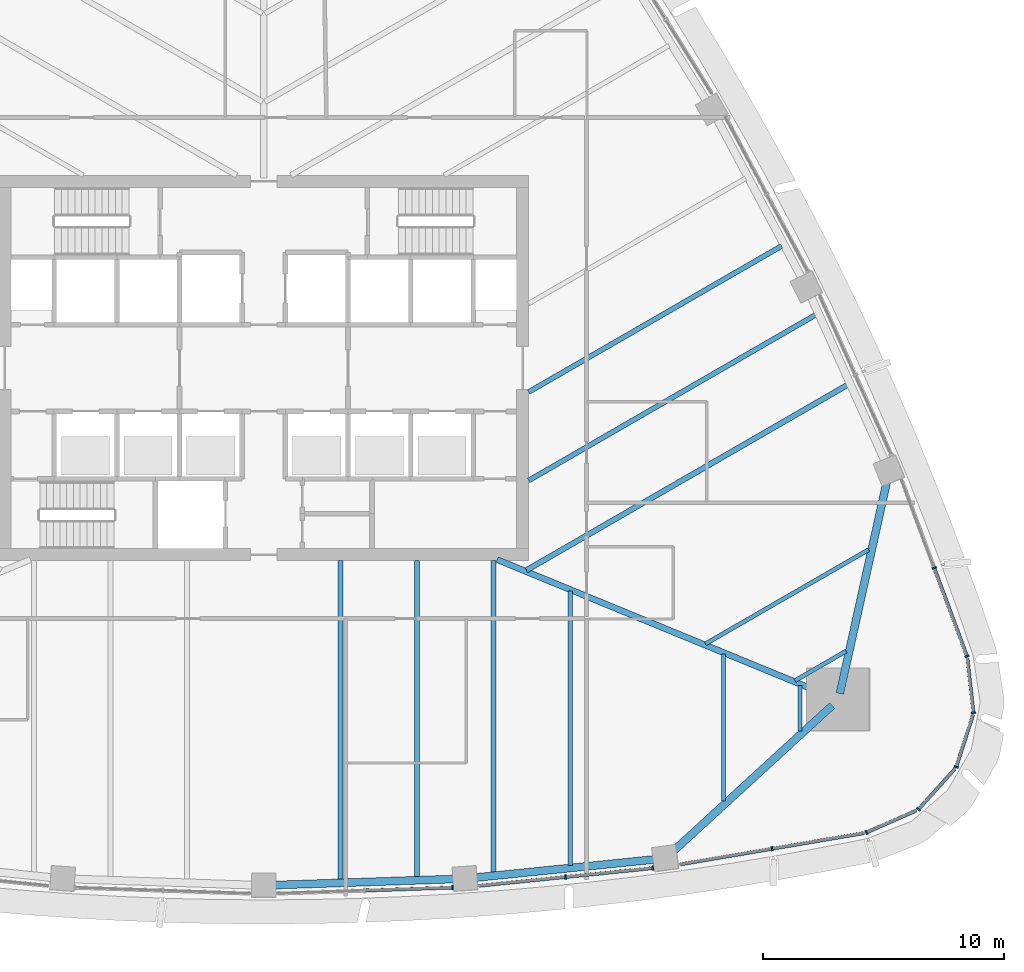
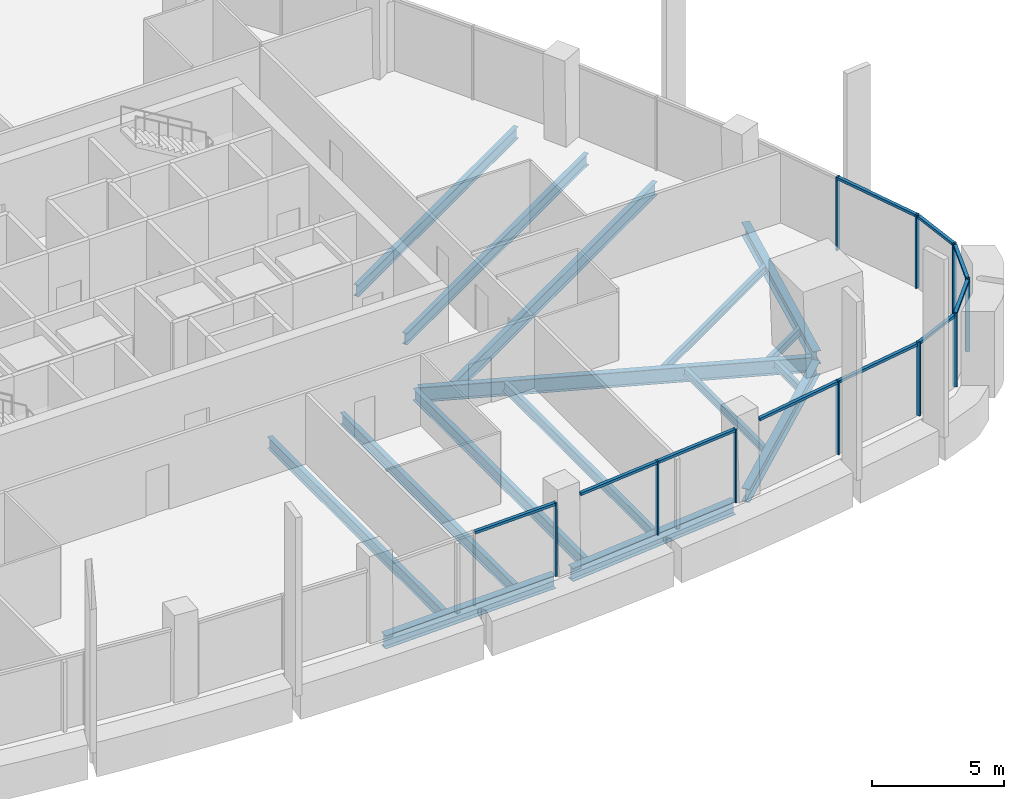
# One storey, part 4 of 17: 20 members, 16 beams, 8 elements without a shape of their own.
"""IFC4 building model written with IfcOpenShell, lengths in metres."""

from ifc_helpers import new_model, si_unit, direction, frame, origin, origin_2d, place, context, subcontext, project, spatial, rectangle, i_section, extrude, material, layer, layer_set, material_profile, profile_set, type_object, element, aggregate, save


model = new_model("IFC4")

# Units and contexts
model_context = context("Model", 3, precision=1e-05, world=origin(), true_north=direction((0.0, 1.0)))
body_context = subcontext(model_context, "Body", "Model", "MODEL_VIEW")
ifc_project = project(units=[si_unit("LENGTHUNIT", "METRE"), si_unit("AREAUNIT", "SQUARE_METRE"), si_unit("VOLUMEUNIT", "CUBIC_METRE"), si_unit("PLANEANGLEUNIT", "RADIAN"), si_unit("MASSUNIT", "GRAM", prefix="KILO")], contexts=[model_context])

# Site, building, storey
site_placement = place(None, origin())
site = spatial("IfcSite", under=ifc_project, at=site_placement, CompositionType="ELEMENT")
building_placement = place(site_placement, origin())
building = spatial("IfcBuilding", under=site, at=building_placement, Name="Sierra Prisma Convention Tower", CompositionType="ELEMENT")
storey_placement = place(building_placement, frame((0.0, 0.0, 169.800048828125)))
storey = spatial("IfcBuildingStorey", under=building, at=storey_placement, Name="L37", CompositionType="ELEMENT", Elevation=169.800048828125)

# Curtain wall, member
ifc_material_1 = material(Name="Aluminium and glass curtain wall", Category="aluminium")
ifc_layer = layer(ifc_material_1, 0.179931640625)
ifc_layer_set = layer_set([ifc_layer], Name="CW-1 Plain shaft curtain wall")
curtain_wall_type = type_object("IfcCurtainWallType", Name="CW-1 Plain shaft curtain wall", PredefinedType="NOTDEFINED", material=ifc_layer_set)
curtain_wall_1_placement = place(storey_placement, origin())
curtain_wall_1 = element("IfcCurtainWall", 1, at=curtain_wall_1_placement, inside=storey, type_object=curtain_wall_type, Name="CW-1 S4 L37", PredefinedType="NOTDEFINED")
ifc_material_2 = material(Name="Aluminium 6063-T6 bronze anodised", Category="aluminium")
ifc_material_profile_1 = material_profile(ifc_material_2, rectangle(XDim=0.179931640625, YDim=0.070068359375, at=origin_2d()), Name="ALU MULLION 70x180")
ifc_profile_set_1 = profile_set([ifc_material_profile_1], Name="Aluminium 6063-T6 bronze anodised")
member_type_1 = type_object("IfcMemberType", Name="CW mullion bronze", PredefinedType="MULLION", material=ifc_profile_set_1)
member_1_placement = place(storey_placement, frame((7.833984375, -21.568603515625, 0.0), z_axis=(0.0, 0.0, 1.0), x_axis=(-0.033714158083, 0.999431516185, 0.0)))
member_1 = element("IfcMember", 2, at=member_1_placement, type_object=member_type_1, Name="CW-1 mullion S4.3", PredefinedType="MULLION", context=body_context, shape_type="SweptSolid", body=[
    extrude(rectangle(XDim=0.179931640625, YDim=0.070068359375, at=origin_2d()), origin(), (0.0, 0.0, 1.0), 3.39990234375),
])

# Curtain wall, members
curtain_wall_2_placement = place(storey_placement, origin())
curtain_wall_2 = element("IfcCurtainWall", 3, at=curtain_wall_2_placement, inside=storey, type_object=curtain_wall_type, Name="CW-1 S5 L37", PredefinedType="NOTDEFINED")
member_2_placement = place(storey_placement, frame((12.53076171875, -21.12890625, 0.0), z_axis=(0.0, 0.0, 1.0), x_axis=(-0.100989190223, 0.994887523019, 0.0)))
member_2 = element("IfcMember", 4, at=member_2_placement, type_object=member_type_1, Name="CW-1 mullion S5.2", PredefinedType="MULLION", context=body_context, shape_type="SweptSolid", body=[
    extrude(rectangle(XDim=0.179931640625, YDim=0.070068359375, at=origin_2d()), origin(), (0.0, 0.0, 1.0), 3.39990234375),
])
member_3_placement = place(storey_placement, frame((16.14794921875, -20.76171875, 0.0), z_axis=(0.0, 0.0, 1.0), x_axis=(-0.100989190223, 0.994887523019, 0.0)))
member_3 = element("IfcMember", 5, at=member_3_placement, type_object=member_type_1, Name="CW-1 mullion S5.3", PredefinedType="MULLION", context=body_context, shape_type="SweptSolid", body=[
    extrude(rectangle(XDim=0.179931640625, YDim=0.070068359375, at=origin_2d()), origin(), (0.0, 0.0, 1.0), 3.39990234375),
])

# Curtain wall, member
curtain_wall_3_placement = place(storey_placement, origin())
curtain_wall_3 = element("IfcCurtainWall", 6, at=curtain_wall_3_placement, inside=storey, type_object=curtain_wall_type, Name="CW-1 S6 L37", PredefinedType="NOTDEFINED")
member_4_placement = place(storey_placement, frame((21.104736328125, -19.957763671875, 0.0), z_axis=(0.0, 0.0, 1.0), x_axis=(-0.167805067151, 0.985820196303, 0.0)))
member_4 = element("IfcMember", 7, at=member_4_placement, type_object=member_type_1, Name="CW-1 mullion S6.2", PredefinedType="MULLION", context=body_context, shape_type="SweptSolid", body=[
    extrude(rectangle(XDim=0.179931640625, YDim=0.070068359375, at=origin_2d()), origin(), (0.0, 0.0, 1.0), 3.39990234375),
])

curtain_wall_4_placement = place(storey_placement, origin())
curtain_wall_4 = element("IfcCurtainWall", 8, at=curtain_wall_4_placement, inside=storey, type_object=curtain_wall_type, Name="CW-1 SE1 L37", PredefinedType="NOTDEFINED")
member_5_placement = place(storey_placement, frame((25.02392578125, -19.281982421875, 0.0), z_axis=(0.0, 0.0, 1.0), x_axis=(-0.401855129647, 0.915703256943, 0.0)))
member_5 = element("IfcMember", 9, at=member_5_placement, type_object=member_type_1, Name="CW-1 mullion SE1.1", PredefinedType="MULLION", context=body_context, shape_type="SweptSolid", body=[
    extrude(rectangle(XDim=0.179931640625, YDim=0.070068359375, at=origin_2d()), origin(), (0.0, 0.0, 1.0), 3.39990234375),
])

curtain_wall_5_placement = place(storey_placement, origin())
curtain_wall_5 = element("IfcCurtainWall", 10, at=curtain_wall_5_placement, inside=storey, type_object=curtain_wall_type, Name="CW-1 SE2 L37", PredefinedType="NOTDEFINED")
member_6_placement = place(storey_placement, frame((27.17919921875, -18.3203125, 0.0), z_axis=(0.0, 0.0, 1.0), x_axis=(-0.741953229739, 0.670451642462, 0.0)))
member_6 = element("IfcMember", 11, at=member_6_placement, type_object=member_type_1, Name="CW-1 mullion SE2.1", PredefinedType="MULLION", context=body_context, shape_type="SweptSolid", body=[
    extrude(rectangle(XDim=0.179931640625, YDim=0.070068359375, at=origin_2d()), origin(), (0.0, 0.0, 1.0), 3.39990234375),
])

curtain_wall_6_placement = place(storey_placement, origin())
curtain_wall_6 = element("IfcCurtainWall", 12, at=curtain_wall_6_placement, inside=storey, type_object=curtain_wall_type, Name="CW-1 SE3 L37", PredefinedType="NOTDEFINED")
member_7_placement = place(storey_placement, frame((28.750732421875, -16.559814453125, 0.0), z_axis=(0.0, 0.0, 1.0), x_axis=(-0.95160476925, 0.307324524143, 0.0)))
member_7 = element("IfcMember", 13, at=member_7_placement, type_object=member_type_1, Name="CW-1 mullion SE3.1", PredefinedType="MULLION", context=body_context, shape_type="SweptSolid", body=[
    extrude(rectangle(XDim=0.179931640625, YDim=0.070068359375, at=origin_2d()), origin(), (0.0, 0.0, 1.0), 3.39990234375),
])

curtain_wall_7_placement = place(storey_placement, origin())
curtain_wall_7 = element("IfcCurtainWall", 14, at=curtain_wall_7_placement, inside=storey, type_object=curtain_wall_type, Name="CW-1 SE4 L37", PredefinedType="NOTDEFINED")
member_8_placement = place(storey_placement, frame((29.46240234375, -14.3095703125, 0.0), z_axis=(0.0, 0.0, 1.0), x_axis=(-0.993949847664, -0.109834877556, 0.0)))
member_8 = element("IfcMember", 15, at=member_8_placement, type_object=member_type_1, Name="CW-1 mullion SE4.1", PredefinedType="MULLION", context=body_context, shape_type="SweptSolid", body=[
    extrude(rectangle(XDim=0.179931640625, YDim=0.070068359375, at=origin_2d()), origin(), (0.0, 0.0, 1.0), 3.39990234375),
])

# Curtain wall, members
curtain_wall_8_placement = place(storey_placement, origin())
curtain_wall_8 = element("IfcCurtainWall", 16, at=curtain_wall_8_placement, inside=storey, type_object=curtain_wall_type, Name="CW-1 NE1 L37", PredefinedType="NOTDEFINED")
member_9_placement = place(storey_placement, frame((29.194580078125, -11.962890625, 0.0), z_axis=(0.0, 0.0, 1.0), x_axis=(-0.937647867137, -0.347586647115, 0.0)))
member_9 = element("IfcMember", 17, at=member_9_placement, type_object=member_type_1, Name="CW-1 mullion NE1.1", PredefinedType="MULLION", context=body_context, shape_type="SweptSolid", body=[
    extrude(rectangle(XDim=0.179931640625, YDim=0.070068359375, at=origin_2d()), origin(), (0.0, 0.0, 1.0), 3.39990234375),
])
member_10_placement = place(storey_placement, frame((27.836181640625, -8.29833984375, 0.0), z_axis=(0.0, 0.0, 1.0), x_axis=(-0.937647867137, -0.347586647115, 0.0)))
member_10 = element("IfcMember", 18, at=member_10_placement, type_object=member_type_1, Name="CW-1 mullion NE1.2", PredefinedType="MULLION", context=body_context, shape_type="SweptSolid", body=[
    extrude(rectangle(XDim=0.179931640625, YDim=0.070068359375, at=origin_2d()), origin(), (0.0, 0.0, 1.0), 3.39990234375),
])

# Member
ifc_material_3 = material(Name="Aluminium 6063-T6 bronze anodised", Category="aluminium")
ifc_material_profile_2 = material_profile(ifc_material_3, rectangle(XDim=0.139892578125, YDim=0.1201171875, at=origin_2d()), Name="ALU TRANSOM 120x140")
ifc_profile_set_2 = profile_set([ifc_material_profile_2], Name="Aluminium 6063-T6 bronze anodised")
member_type_2 = type_object("IfcMemberType", Name="CW transom bronze", PredefinedType="USERDEFINED", material=ifc_profile_set_2)
member_11_placement = place(storey_placement, frame((4.219482421875, -21.6904296875, 3.33984375), z_axis=(0.999432889211, 0.033673431133, 0.0), x_axis=(-0.033673431133, 0.999432889211, 0.0)))
member_11 = element("IfcMember", 19, at=member_11_placement, type_object=member_type_2, Name="CW-1 transom S4.2", ObjectType="TRANSOM", PredefinedType="USERDEFINED", context=body_context, shape_type="SweptSolid", body=[
    extrude(rectangle(XDim=0.139892578125, YDim=0.1201171875, at=origin_2d()), origin(), (0.0, 0.0, 1.0), 3.58154296875),
])

aggregate(curtain_wall_1, [member_1, member_11])

member_12_placement = place(storey_placement, frame((8.948486328125, -21.49267578125, 3.33984375), z_axis=(0.994887625535, 0.100988180281, 0.0), x_axis=(-0.100988180281, 0.994887625535, 0.0)))
member_12 = element("IfcMember", 20, at=member_12_placement, type_object=member_type_2, Name="CW-1 transom S5.1", ObjectType="TRANSOM", PredefinedType="USERDEFINED", context=body_context, shape_type="SweptSolid", body=[
    extrude(rectangle(XDim=0.139892578125, YDim=0.1201171875, at=origin_2d()), origin(), (0.0, 0.0, 1.0), 3.56591796875),
])

member_13_placement = place(storey_placement, frame((12.565673828125, -21.12548828125, 3.33984375), z_axis=(0.994887625535, 0.100988180281, 0.0), x_axis=(-0.100988180281, 0.994887625535, 0.0)))
member_13 = element("IfcMember", 21, at=member_13_placement, type_object=member_type_2, Name="CW-1 transom S5.2", ObjectType="TRANSOM", PredefinedType="USERDEFINED", context=body_context, shape_type="SweptSolid", body=[
    extrude(rectangle(XDim=0.139892578125, YDim=0.1201171875, at=origin_2d()), origin(), (0.0, 0.0, 1.0), 3.56591796875),
])

aggregate(curtain_wall_2, [member_2, member_3, member_12, member_13])

member_14_placement = place(storey_placement, frame((17.28662109375, -20.607666015625, 3.33984375), z_axis=(0.985820722023, 0.167801978623, 0.0), x_axis=(-0.167801978623, 0.985820722023, 0.0)))
member_14 = element("IfcMember", 22, at=member_14_placement, type_object=member_type_2, Name="CW-1 transom S6.1", ObjectType="TRANSOM", PredefinedType="USERDEFINED", context=body_context, shape_type="SweptSolid", body=[
    extrude(rectangle(XDim=0.139892578125, YDim=0.1201171875, at=origin_2d()), origin(), (0.0, 0.0, 1.0), 3.838134765625),
])

member_15_placement = place(storey_placement, frame((21.13916015625, -19.95166015625, 3.33984375), z_axis=(0.985820722023, 0.167801978623, 0.0), x_axis=(-0.167801978623, 0.985820722023, 0.0)))
member_15 = element("IfcMember", 23, at=member_15_placement, type_object=member_type_2, Name="CW-1 transom S6.2", ObjectType="TRANSOM", PredefinedType="USERDEFINED", context=body_context, shape_type="SweptSolid", body=[
    extrude(rectangle(XDim=0.139892578125, YDim=0.1201171875, at=origin_2d()), origin(), (0.0, 0.0, 1.0), 3.838134765625),
])

aggregate(curtain_wall_3, [member_4, member_14, member_15])

member_16_placement = place(storey_placement, frame((25.055908203125, -19.267822265625, 3.33984375), z_axis=(0.91570810507, 0.401844082088, 0.0), x_axis=(-0.401844082088, 0.91570810507, 0.0)))
member_16 = element("IfcMember", 24, at=member_16_placement, type_object=member_type_2, Name="CW-1 transom SE1.1", ObjectType="TRANSOM", PredefinedType="USERDEFINED", context=body_context, shape_type="SweptSolid", body=[
    extrude(rectangle(XDim=0.139892578125, YDim=0.1201171875, at=origin_2d()), origin(), (0.0, 0.0, 1.0), 2.22314453125),
])

aggregate(curtain_wall_4, [member_5, member_16])

member_17_placement = place(storey_placement, frame((27.20263671875, -18.29443359375, 3.33984375), z_axis=(0.670455974931, 0.741949314764, 0.0), x_axis=(-0.741949314764, 0.670455974931, 0.0)))
member_17 = element("IfcMember", 25, at=member_17_placement, type_object=member_type_2, Name="CW-1 transom SE2.1", ObjectType="TRANSOM", PredefinedType="USERDEFINED", context=body_context, shape_type="SweptSolid", body=[
    extrude(rectangle(XDim=0.139892578125, YDim=0.1201171875, at=origin_2d()), origin(), (0.0, 0.0, 1.0), 2.22314453125),
])

aggregate(curtain_wall_5, [member_6, member_17])

member_18_placement = place(storey_placement, frame((28.761474609375, -16.5263671875, 3.33984375), z_axis=(0.307384587336, 0.951585369512, 0.0), x_axis=(-0.951585369512, 0.307384587336, 0.0)))
member_18 = element("IfcMember", 26, at=member_18_placement, type_object=member_type_2, Name="CW-1 transom SE3.1", ObjectType="TRANSOM", PredefinedType="USERDEFINED", context=body_context, shape_type="SweptSolid", body=[
    extrude(rectangle(XDim=0.139892578125, YDim=0.1201171875, at=origin_2d()), origin(), (0.0, 0.0, 1.0), 2.22314453125),
])

aggregate(curtain_wall_6, [member_7, member_18])

member_19_placement = place(storey_placement, frame((29.45849609375, -14.27490234375, 3.33984375), z_axis=(-0.109816798726, 0.993951845271, 0.0), x_axis=(-0.993951845271, -0.109816798726, 0.0)))
member_19 = element("IfcMember", 27, at=member_19_placement, type_object=member_type_2, Name="CW-1 transom SE4.1", ObjectType="TRANSOM", PredefinedType="USERDEFINED", context=body_context, shape_type="SweptSolid", body=[
    extrude(rectangle(XDim=0.139892578125, YDim=0.1201171875, at=origin_2d()), origin(), (0.0, 0.0, 1.0), 2.22314453125),
])

aggregate(curtain_wall_7, [member_8, member_19])

member_20_placement = place(storey_placement, frame((29.182373046875, -11.929931640625, 3.33984375), z_axis=(-0.347579535335, 0.937650503448, 0.0), x_axis=(-0.937650503448, -0.347579535335, 0.0)))
member_20 = element("IfcMember", 28, at=member_20_placement, type_object=member_type_2, Name="CW-1 transom NE1.1", ObjectType="TRANSOM", PredefinedType="USERDEFINED", context=body_context, shape_type="SweptSolid", body=[
    extrude(rectangle(XDim=0.139892578125, YDim=0.1201171875, at=origin_2d()), origin(), (0.0, 0.0, 1.0), 3.837890625),
])

aggregate(curtain_wall_8, [member_9, member_10, member_20])

# Beams
ifc_material_4 = material(Name="Steel ASTM A992 Gr 50", Category="steel")
ifc_material_profile_3 = material_profile(ifc_material_4, i_section(OverallWidth=0.172119140625, OverallDepth=0.35791015625, WebThickness=0.0078125, FlangeThickness=0.01318359375, at=origin_2d()), Name="W360x57")
ifc_profile_set_3 = profile_set([ifc_material_profile_3], Name="Steel ASTM A992 Gr 50")
beam_type_1 = type_object("IfcBeamType", Name="Floor joist W360x57", PredefinedType="JOIST", material=ifc_profile_set_3)
beam_1_placement = place(storey_placement, frame((19.08740234375, -17.9775390625, -0.3291015625), z_axis=(0.0, 1.0, 0.0), x_axis=(-1.0, 0.0, 0.0)))
element("IfcBeam", 29, at=beam_1_placement, inside=storey, type_object=beam_type_1, Name="Floor joist L37 S14", PredefinedType="JOIST", context=body_context, shape_type="SweptSolid", body=[
    extrude(i_section(OverallWidth=0.172119140625, OverallDepth=0.35791015625, WebThickness=0.0078125, FlangeThickness=0.01318359375, at=origin_2d()), origin(), (0.0, 0.0, 1.0), 6.107666015625),
])
beam_2_placement = place(storey_placement, frame((22.268798828125, -15.0625, -0.3291015625), z_axis=(0.0, 1.0, 0.0), x_axis=(-1.0, 0.0, 0.0)))
element("IfcBeam", 30, at=beam_2_placement, inside=storey, type_object=beam_type_1, Name="Floor joist L37 S15", PredefinedType="JOIST", context=body_context, shape_type="SweptSolid", body=[
    extrude(i_section(OverallWidth=0.172119140625, OverallDepth=0.35791015625, WebThickness=0.0078125, FlangeThickness=0.01318359375, at=origin_2d()), origin(), (0.0, 0.0, 1.0), 1.8857421875),
])
beam_3_placement = place(storey_placement, frame((24.1787109375, -11.754150390625, -0.3291015625), z_axis=(-0.866046247233, -0.49996389635, 0.0), x_axis=(0.49996389635, -0.866046247233, 0.0)))
element("IfcBeam", 31, at=beam_3_placement, inside=storey, type_object=beam_type_1, Name="Floor joist L37 NE01", PredefinedType="JOIST", context=body_context, shape_type="SweptSolid", body=[
    extrude(i_section(OverallWidth=0.172119140625, OverallDepth=0.35791015625, WebThickness=0.0078125, FlangeThickness=0.01318359375, at=origin_2d()), origin(), (0.0, 0.0, 1.0), 2.450927734375),
])
beam_4_placement = place(storey_placement, frame((25.11279296875, -7.54150390625, -0.3291015625), z_axis=(-0.866021861762, -0.500006134913, 0.0), x_axis=(0.500006134913, -0.866021861762, 0.0)))
element("IfcBeam", 32, at=beam_4_placement, inside=storey, type_object=beam_type_1, Name="Floor joist L37 NE02", PredefinedType="JOIST", context=body_context, shape_type="SweptSolid", body=[
    extrude(i_section(OverallWidth=0.172119140625, OverallDepth=0.35791015625, WebThickness=0.0078125, FlangeThickness=0.01318359375, at=origin_2d()), origin(), (0.0, 0.0, 1.0), 7.822265625),
])
ifc_material_5 = material(Name="Steel ASTM A992 Gr 50", Category="steel")
ifc_material_profile_4 = material_profile(ifc_material_5, i_section(OverallWidth=0.18994140625, OverallDepth=0.45703125, WebThickness=0.009033203125, FlangeThickness=0.014404296875, at=origin_2d()), Name="W460x74")
ifc_profile_set_4 = profile_set([ifc_material_profile_4], Name="Steel ASTM A992 Gr 50")
beam_type_2 = type_object("IfcBeamType", Name="Floor joist W460x74", PredefinedType="JOIST", material=ifc_profile_set_4)
beam_5_placement = place(storey_placement, frame((12.72509765625, -20.644287109375, -0.378662109375), z_axis=(0.0, 1.0, 0.0), x_axis=(-1.0, 0.0, 0.0)))
element("IfcBeam", 33, at=beam_5_placement, inside=storey, type_object=beam_type_2, Name="Floor joist L37 S12", PredefinedType="JOIST", context=body_context, shape_type="SweptSolid", body=[
    extrude(i_section(OverallWidth=0.18994140625, OverallDepth=0.45703125, WebThickness=0.009033203125, FlangeThickness=0.014404296875, at=origin_2d()), origin(), (0.0, 0.0, 1.0), 11.387939453125),
])
ifc_material_6 = material(Name="Steel ASTM A992 Gr 50", Category="steel")
ifc_material_profile_5 = material_profile(ifc_material_6, i_section(OverallWidth=0.208984375, OverallDepth=0.532958984375, WebThickness=0.01025390625, FlangeThickness=0.015625, at=origin_2d()), Name="W530x92")
ifc_profile_set_5 = profile_set([ifc_material_profile_5], Name="Steel ASTM A992 Gr 50")
beam_type_3 = type_object("IfcBeamType", Name="Floor joist W530x92", PredefinedType="JOIST", material=ifc_profile_set_5)
beam_6_placement = place(storey_placement, frame((3.18115234375, -21.262939453125, -0.41650390625), z_axis=(0.0, 1.0, 0.0), x_axis=(-1.0, 0.0, 0.0)))
element("IfcBeam", 34, at=beam_6_placement, inside=storey, type_object=beam_type_3, Name="Floor joist L37 S09", PredefinedType="JOIST", context=body_context, shape_type="SweptSolid", body=[
    extrude(i_section(OverallWidth=0.208984375, OverallDepth=0.532958984375, WebThickness=0.01025390625, FlangeThickness=0.015625, at=origin_2d()), origin(), (0.0, 0.0, 1.0), 13.262939453125),
])
beam_7_placement = place(storey_placement, frame((6.362548828125, -21.155517578125, -0.41650390625), z_axis=(0.0, 1.0, 0.0), x_axis=(-1.0, 0.0, 0.0)))
element("IfcBeam", 35, at=beam_7_placement, inside=storey, type_object=beam_type_3, Name="Floor joist L37 S10", PredefinedType="JOIST", context=body_context, shape_type="SweptSolid", body=[
    extrude(i_section(OverallWidth=0.208984375, OverallDepth=0.532958984375, WebThickness=0.01025390625, FlangeThickness=0.015625, at=origin_2d()), origin(), (0.0, 0.0, 1.0), 13.155517578125),
])
beam_8_placement = place(storey_placement, frame((9.543701171875, -20.96728515625, -0.41650390625), z_axis=(0.0, 1.0, 0.0), x_axis=(-1.0, 0.0, 0.0)))
element("IfcBeam", 36, at=beam_8_placement, inside=storey, type_object=beam_type_3, Name="Floor joist L37 S11", PredefinedType="JOIST", context=body_context, shape_type="SweptSolid", body=[
    extrude(i_section(OverallWidth=0.208984375, OverallDepth=0.532958984375, WebThickness=0.01025390625, FlangeThickness=0.015625, at=origin_2d()), origin(), (0.0, 0.0, 1.0), 12.96728515625),
])
beam_9_placement = place(storey_placement, frame((22.929931640625, 2.218505859375, -0.41650390625), z_axis=(-0.866019424821, -0.500010355725, 0.0), x_axis=(0.500010355725, -0.866019424821, 0.0)))
element("IfcBeam", 37, at=beam_9_placement, inside=storey, type_object=beam_type_3, Name="Floor joist L37 NE05", PredefinedType="JOIST", context=body_context, shape_type="SweptSolid", body=[
    extrude(i_section(OverallWidth=0.208984375, OverallDepth=0.532958984375, WebThickness=0.01025390625, FlangeThickness=0.015625, at=origin_2d()), origin(), (0.0, 0.0, 1.0), 13.775634765625),
])
beam_10_placement = place(storey_placement, frame((21.50244140625, 5.067626953125, -0.41650390625), z_axis=(-0.866029360375, -0.499993146922, 0.0), x_axis=(0.499993146922, -0.866029360375, 0.0)))
element("IfcBeam", 38, at=beam_10_placement, inside=storey, type_object=beam_type_3, Name="Floor joist L37 NE06", PredefinedType="JOIST", context=body_context, shape_type="SweptSolid", body=[
    extrude(i_section(OverallWidth=0.208984375, OverallDepth=0.532958984375, WebThickness=0.01025390625, FlangeThickness=0.015625, at=origin_2d()), origin(), (0.0, 0.0, 1.0), 12.127197265625),
])
ifc_material_7 = material(Name="Steel ASTM A992 Gr 50", Category="steel")
ifc_material_profile_6 = material_profile(ifc_material_7, i_section(OverallWidth=0.22802734375, OverallDepth=0.60302734375, WebThickness=0.010498046875, FlangeThickness=0.014892578125, at=origin_2d()), Name="W610x101")
ifc_profile_set_6 = profile_set([ifc_material_profile_6], Name="Steel ASTM A992 Gr 50")
beam_type_4 = type_object("IfcBeamType", Name="Floor joist W610x101", PredefinedType="JOIST", material=ifc_profile_set_6)
beam_11_placement = place(storey_placement, frame((24.240966796875, -0.697998046875, -0.45166015625), z_axis=(-0.866022968346, -0.500004218279, 0.0), x_axis=(0.500004218279, -0.866022968346, 0.0)))
element("IfcBeam", 39, at=beam_11_placement, inside=storey, type_object=beam_type_4, Name="Floor joist L37 NE04", PredefinedType="JOIST", context=body_context, shape_type="SweptSolid", body=[
    extrude(i_section(OverallWidth=0.22802734375, OverallDepth=0.60302734375, WebThickness=0.010498046875, FlangeThickness=0.014892578125, at=origin_2d()), origin(), (0.0, 0.0, 1.0), 15.400634765625),
])
ifc_material_8 = material(Name="Steel ASTM A992 Gr 50", Category="steel")
ifc_material_profile_7 = material_profile(ifc_material_8, i_section(OverallWidth=0.25390625, OverallDepth=0.68408203125, WebThickness=0.012451171875, FlangeThickness=0.018798828125, at=origin_2d()), Name="W690x140")
ifc_profile_set_7 = profile_set([ifc_material_profile_7], Name="Steel ASTM A992 Gr 50")
beam_type_5 = type_object("IfcBeamType", Name="Radial girder W690x140", PredefinedType="BEAM", material=ifc_profile_set_7)
beam_12_placement = place(storey_placement, frame((23.599365234375, -13.66845703125, -0.491943359375), z_axis=(-0.924998523693, 0.379970697773, 0.0), x_axis=(-0.379970697773, -0.924998523693, 0.0)))
element("IfcBeam", 40, at=beam_12_placement, inside=storey, type_object=beam_type_5, Name="Radial girder L37 SE", PredefinedType="BEAM", context=body_context, shape_type="SweptSolid", body=[
    extrude(i_section(OverallWidth=0.25390625, OverallDepth=0.68408203125, WebThickness=0.012451171875, FlangeThickness=0.018798828125, at=origin_2d()), origin(), (0.0, 0.0, 1.0), 15.038330078125),
])
ifc_material_9 = material(Name="Steel ASTM A992 Gr 50", Category="steel")
ifc_material_profile_8 = material_profile(ifc_material_9, i_section(OverallWidth=0.324951171875, OverallDepth=0.615966796875, WebThickness=0.013916015625, FlangeThickness=0.021484375, at=origin_2d()), Name="W610x174")
ifc_profile_set_8 = profile_set([ifc_material_profile_8], Name="Steel ASTM A992 Gr 50")
beam_type_6 = type_object("IfcBeamType", Name="Spandrel beam W610x174", PredefinedType="BEAM", material=ifc_profile_set_8)
for number, where, z_axis, x_axis, name in (
    (41, (0.380126953125, -21.469970703125, -0.4580078125), (0.99943127959, 0.033721171066, 0.0), (-0.033721171066, 0.99943127959, 0.0), "Spandrel L37-04"),
    (42, (8.736083984375, -21.16259765625, -0.4580078125), (0.994886299798, 0.101001239965, 0.0), (-0.101001239965, 0.994886299798, 0.0), "Spandrel L37-05"),
):
    element("IfcBeam", number, at=place(storey_placement, frame(where, z_axis=z_axis, x_axis=x_axis)), inside=storey, type_object=beam_type_6, Name=name, PredefinedType="BEAM", context=body_context, shape_type="SweptSolid", body=[
        extrude(i_section(OverallWidth=0.324951171875, OverallDepth=0.615966796875, WebThickness=0.013916015625, FlangeThickness=0.021484375, at=origin_2d()), origin(), (0.0, 0.0, 1.0), 7.60205078125),
    ])
beam_13_placement = place(storey_placement, frame((17.037841796875, -20.026123046875, -0.4580078125), z_axis=(0.737267999273, 0.675600397608, 0.0), x_axis=(-0.675600397608, 0.737267999273, 0.0)))
element("IfcBeam", 43, at=beam_13_placement, inside=storey, type_object=beam_type_6, Name="Spandrel L37-06", PredefinedType="BEAM", context=body_context, shape_type="SweptSolid", body=[
    extrude(i_section(OverallWidth=0.324951171875, OverallDepth=0.615966796875, WebThickness=0.013916015625, FlangeThickness=0.021484375, at=origin_2d()), origin(), (0.0, 0.0, 1.0), 8.89990234375),
])
beam_14_placement = place(storey_placement, frame((23.9169921875, -13.51513671875, -0.4580078125), z_axis=(0.216455772995, 0.976292424603, 0.0), x_axis=(-0.976292424603, 0.216455772995, 0.0)))
element("IfcBeam", 44, at=beam_14_placement, inside=storey, type_object=beam_type_6, Name="Spandrel L37-07", PredefinedType="BEAM", context=body_context, shape_type="SweptSolid", body=[
    extrude(i_section(OverallWidth=0.324951171875, OverallDepth=0.615966796875, WebThickness=0.013916015625, FlangeThickness=0.021484375, at=origin_2d()), origin(), (0.0, 0.0, 1.0), 8.986083984375),
])

save(model, "model.ifc")
